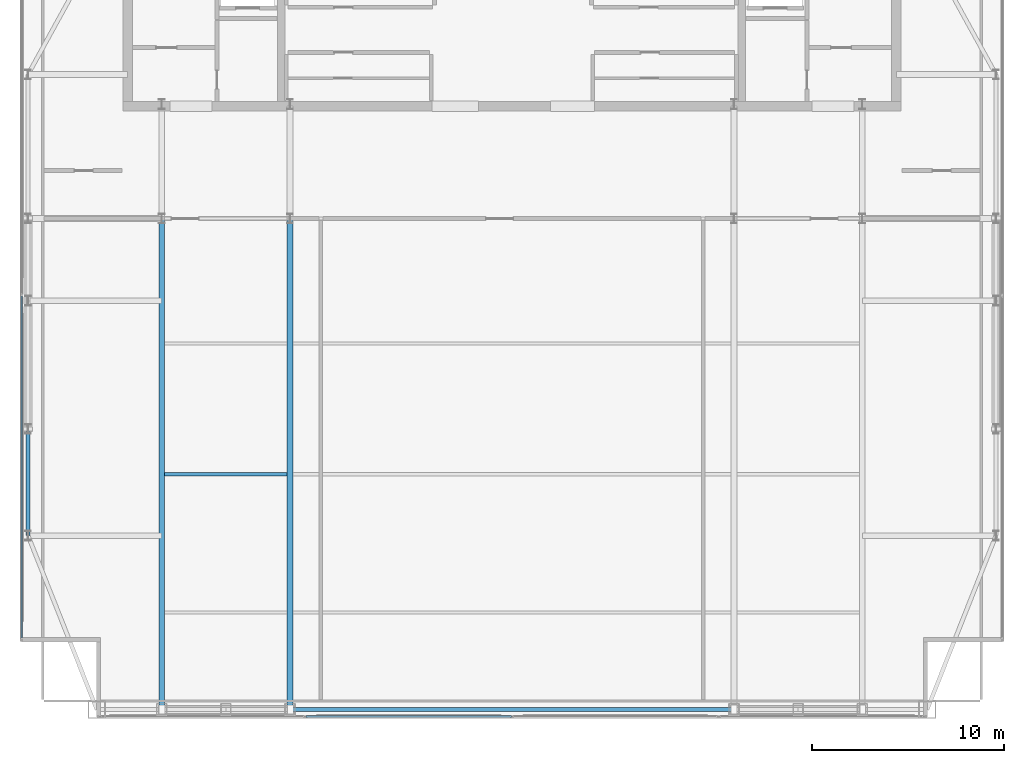
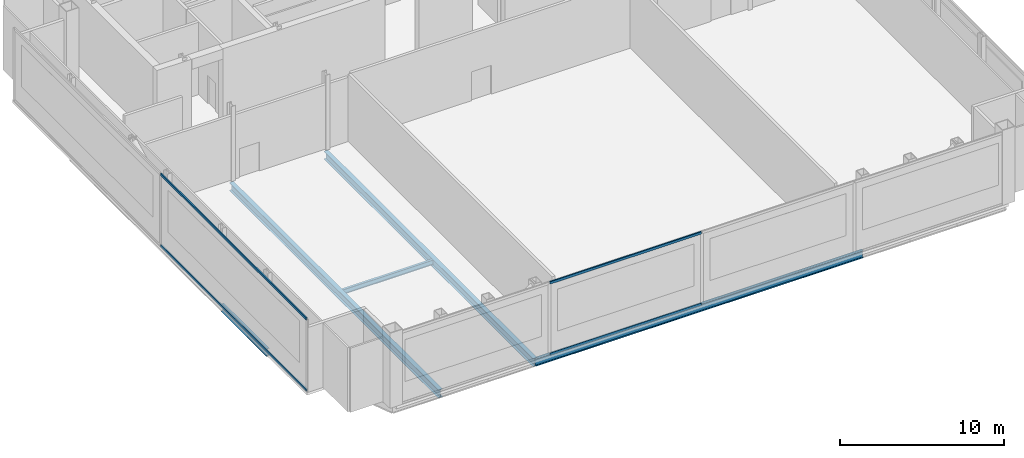
# One storey, part 5 of 22: 5 beams, 4 members, 2 elements without a shape of their own.
"""IFC4 building model written with IfcOpenShell, lengths in metres."""

from ifc_helpers import new_model, si_unit, direction, frame, origin, origin_2d, place, context, subcontext, project, spatial, hollow_rectangle, i_section, extrude, material, material_profile, profile_set, type_object, element, aggregate, save


model = new_model("IFC4")

# Units and contexts
model_context = context("Model", 3, precision=1e-05, world=origin(), true_north=direction((0.0, 1.0)))
body_context = subcontext(model_context, "Body", "Model", "MODEL_VIEW")
ifc_project = project(units=[si_unit("LENGTHUNIT", "METRE"), si_unit("AREAUNIT", "SQUARE_METRE"), si_unit("VOLUMEUNIT", "CUBIC_METRE"), si_unit("PLANEANGLEUNIT", "RADIAN"), si_unit("MASSUNIT", "GRAM", prefix="KILO")], contexts=[model_context])

# Site, building, storey
site_placement = place(None, origin())
site = spatial("IfcSite", under=ifc_project, at=site_placement, CompositionType="ELEMENT")
building_placement = place(site_placement, origin())
building = spatial("IfcBuilding", under=site, at=building_placement, Name="Khoronbel Lancet Exchange", CompositionType="ELEMENT")
storey_placement = place(building_placement, frame((0.0, 0.0, 373.0)))
storey = spatial("IfcBuildingStorey", under=building, at=storey_placement, Name="L95", CompositionType="ELEMENT", Elevation=373.0)

# Beams
ifc_material_1 = material(Name="Steel S355", Category="steel")
ifc_material_profile_1 = material_profile(ifc_material_1, i_section(OverallWidth=0.300048828125, OverallDepth=0.60009765625, WebThickness=0.015380859375, FlangeThickness=0.030029296875, at=origin_2d()), Name="HEB 600")
ifc_profile_set_1 = profile_set([ifc_material_profile_1], Name="Steel S355")
beam_type_1 = type_object("IfcBeamType", Name="BM-BG5", PredefinedType="BEAM", material=ifc_profile_set_1)
for number, where, z_axis, x_axis, name in (
    (1, (18.22509765625, 10.14990234375, -0.5), (0.0, 1.0, 0.0), (-1.0, 0.0, 0.0), "Level L95 south primary girder GS1"),
    (2, (24.89990234375, 10.14990234375, -0.5), (0.0, 1.0, 0.0), (-1.0, 0.0, 0.0), "Level L95 south primary girder GS2"),
):
    element("IfcBeam", number, at=place(storey_placement, frame(where, z_axis=z_axis, x_axis=x_axis)), inside=storey, type_object=beam_type_1, Name=name, PredefinedType="BEAM", context=body_context, shape_type="SweptSolid", body=[
        extrude(i_section(OverallWidth=0.300048828125, OverallDepth=0.60009765625, WebThickness=0.015380859375, FlangeThickness=0.030029296875, at=origin_2d()), origin(), (0.0, 0.0, 1.0), 25.550048828125),
    ])
ifc_material_profile_2 = material_profile(ifc_material_1, i_section(OverallWidth=0.169921875, OverallDepth=0.360107421875, WebThickness=0.008056640625, FlangeThickness=0.0126953125, at=origin_2d()), Name="IPE 360")
ifc_profile_set_2 = profile_set([ifc_material_profile_2], Name="Steel S355")
beam_type_2 = type_object("IfcBeamType", Name="BM-BJ6", PredefinedType="JOIST", material=ifc_profile_set_2)
beam_1_placement = place(storey_placement, frame((18.375, 22.39990234375, -0.3798828125), z_axis=(1.0, 0.0, 0.0), x_axis=(0.0, 1.0, 0.0)))
element("IfcBeam", 3, at=beam_1_placement, inside=storey, type_object=beam_type_2, Name="Level L95 secondary composite joist J04", PredefinedType="JOIST", context=body_context, shape_type="SweptSolid", body=[
    extrude(i_section(OverallWidth=0.169921875, OverallDepth=0.360107421875, WebThickness=0.008056640625, FlangeThickness=0.0126953125, at=origin_2d()), origin(), (0.0, 0.0, 1.0), 6.375),
])
ifc_material_profile_3 = material_profile(ifc_material_1, i_section(OverallWidth=0.2099609375, OverallDepth=0.550048828125, WebThickness=0.010986328125, FlangeThickness=0.01708984375, at=origin_2d()), Name="IPE 550")
ifc_profile_set_3 = profile_set([ifc_material_profile_3], Name="Steel S355")
beam_type_3 = type_object("IfcBeamType", Name="BM-BSP3", PredefinedType="SPANDREL", material=ifc_profile_set_3)
beam_2_placement = place(storey_placement, frame((24.89990234375, 10.14990234375, -0.47509765625), z_axis=(1.0, 0.0, 0.0), x_axis=(0.0, 1.0, 0.0)))
element("IfcBeam", 4, at=beam_2_placement, inside=storey, type_object=beam_type_3, Name="Level L95 perimeter spandrel beam SP04", PredefinedType="SPANDREL", context=body_context, shape_type="SweptSolid", body=[
    extrude(i_section(OverallWidth=0.2099609375, OverallDepth=0.550048828125, WebThickness=0.010986328125, FlangeThickness=0.01708984375, at=origin_2d()), origin(), (0.0, 0.0, 1.0), 23.10009765625),
])
beam_3_placement = place(storey_placement, frame((11.27001953125, 24.75, -0.47509765625), z_axis=(0.0, -1.0, 0.0), x_axis=(1.0, 0.0, 0.0)))
element("IfcBeam", 5, at=beam_3_placement, inside=storey, type_object=beam_type_3, Name="Level L95 perimeter spandrel beam SP18", PredefinedType="SPANDREL", context=body_context, shape_type="SweptSolid", body=[
    extrude(i_section(OverallWidth=0.2099609375, OverallDepth=0.550048828125, WebThickness=0.010986328125, FlangeThickness=0.01708984375, at=origin_2d()), origin(), (0.0, 0.0, 1.0), 5.550048828125),
])

# Curtain wall, members
ifc_material_2 = material(Name="Low-E Solar Control Insulating Glass", Category="glass")
curtain_wall_type = type_object("IfcCurtainWallType", Name="CW-6", PredefinedType="NOTDEFINED", material=ifc_material_2)
curtain_wall_1_placement = place(storey_placement, origin())
curtain_wall_1 = element("IfcCurtainWall", 6, at=curtain_wall_1_placement, inside=storey, type_object=curtain_wall_type, Name="Unitised curtain wall CW-L95-E03", PredefinedType="NOTDEFINED")
ifc_material_3 = material(Name="Bronze-Anodised Aluminium 6063-T6", Category="aluminium")
ifc_material_profile_4 = material_profile(ifc_material_3, hollow_rectangle(XDim=0.0849609375, YDim=0.179931640625, WallThickness=0.0048828125, at=origin_2d()), Name="ALU TRANSOM 85x180")
ifc_profile_set_4 = profile_set([ifc_material_profile_4], Name="Bronze-Anodised Aluminium 6063-T6")
member_type = type_object("IfcMemberType", Name="MEM-CWT1", PredefinedType="USERDEFINED", material=ifc_profile_set_4)
member_1_placement = place(storey_placement, frame((10.93994140625, 13.864990234375, 0.04248046875), z_axis=(0.0, 1.0, 0.0), x_axis=(-1.0, 0.0, 0.0)))
member_1 = element("IfcMember", 7, at=member_1_placement, type_object=member_type, Name="CW6 transom 1.1", ObjectType="TRANSOM", PredefinedType="USERDEFINED", context=body_context, shape_type="SweptSolid", body=[
    extrude(hollow_rectangle(XDim=0.0849609375, YDim=0.179931640625, WallThickness=0.0048828125, at=origin_2d()), origin(), (0.0, 0.0, 1.0), 17.797607421875),
])
member_2_placement = place(storey_placement, frame((10.93994140625, 13.864990234375, 5.357421875), z_axis=(0.0, 1.0, 0.0), x_axis=(-1.0, 0.0, 0.0)))
member_2 = element("IfcMember", 8, at=member_2_placement, type_object=member_type, Name="CW6 transom 1.2", ObjectType="TRANSOM", PredefinedType="USERDEFINED", context=body_context, shape_type="SweptSolid", body=[
    extrude(hollow_rectangle(XDim=0.0849609375, YDim=0.179931640625, WallThickness=0.0048828125, at=origin_2d()), origin(), (0.0, 0.0, 1.0), 17.797607421875),
])
aggregate(curtain_wall_1, [member_1, member_2])

curtain_wall_2_placement = place(storey_placement, origin())
curtain_wall_2 = element("IfcCurtainWall", 9, at=curtain_wall_2_placement, inside=storey, type_object=curtain_wall_type, Name="Unitised curtain wall CW-L95-E12", PredefinedType="NOTDEFINED")
member_3_placement = place(storey_placement, frame((36.41259765625, 9.7900390625, 0.04248046875), z_axis=(-1.0, 0.0, 0.0), x_axis=(0.0, -1.0, 0.0)))
member_3 = element("IfcMember", 10, at=member_3_placement, type_object=member_type, Name="CW6 transom 3.1", ObjectType="TRANSOM", PredefinedType="USERDEFINED", context=body_context, shape_type="SweptSolid", body=[
    extrude(hollow_rectangle(XDim=0.0849609375, YDim=0.179931640625, WallThickness=0.0048828125, at=origin_2d()), origin(), (0.0, 0.0, 1.0), 10.68017578125),
])
member_4_placement = place(storey_placement, frame((36.41259765625, 9.7900390625, 5.357421875), z_axis=(-1.0, 0.0, 0.0), x_axis=(0.0, -1.0, 0.0)))
member_4 = element("IfcMember", 11, at=member_4_placement, type_object=member_type, Name="CW6 transom 3.2", ObjectType="TRANSOM", PredefinedType="USERDEFINED", context=body_context, shape_type="SweptSolid", body=[
    extrude(hollow_rectangle(XDim=0.0849609375, YDim=0.179931640625, WallThickness=0.0048828125, at=origin_2d()), origin(), (0.0, 0.0, 1.0), 10.68017578125),
])
aggregate(curtain_wall_2, [member_3, member_4])

save(model, "model.ifc")
